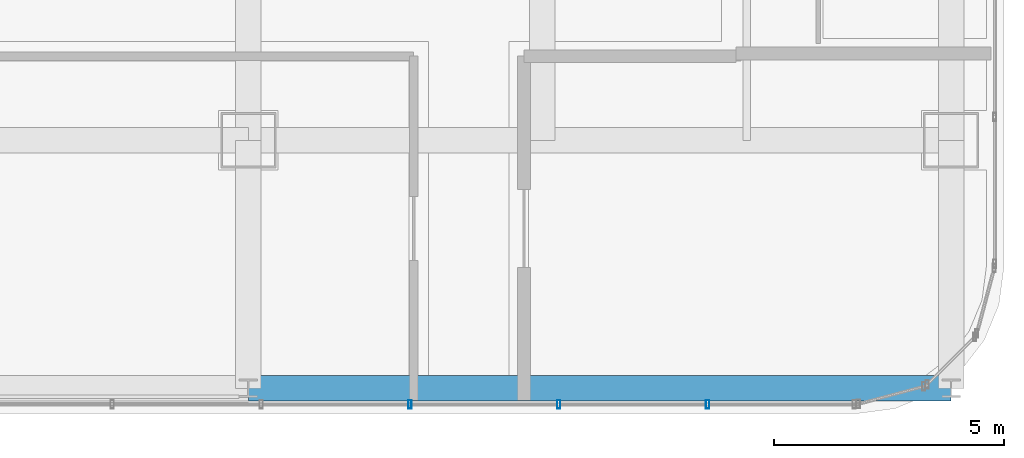
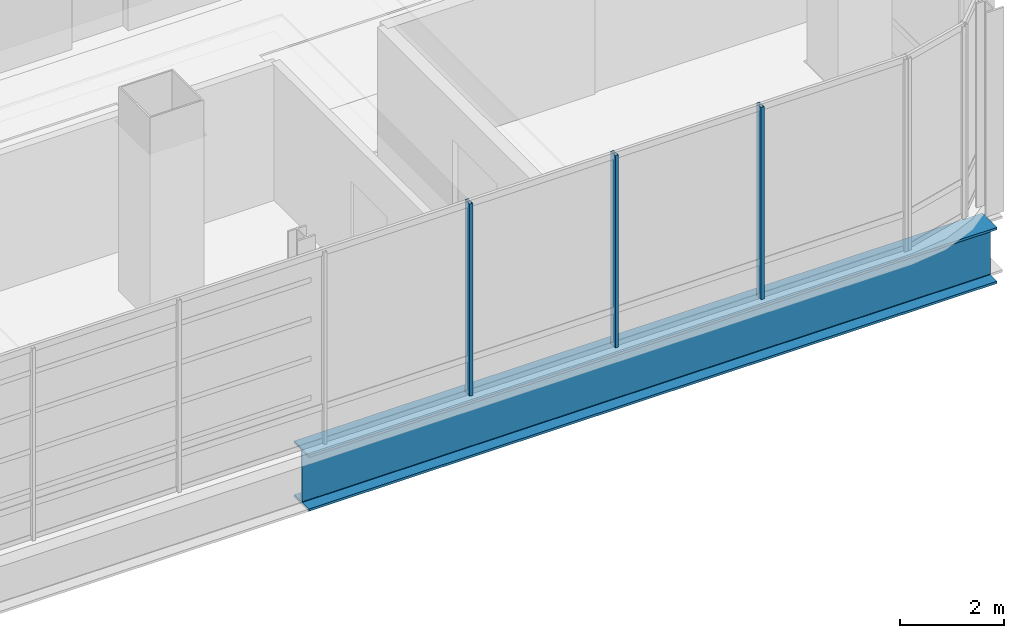
# One storey, part 16 of 45: 3 members, 1 beam, 1 element without a shape of its own.
"""IFC4 building model written with IfcOpenShell, lengths in metres."""

import ifcopenshell
import ifcopenshell.guid

model = None  # the IFC model being written
_history = None  # IfcOwnerHistory: only IFC2X3 demands one
_inside = {}  # id of a spatial element -> (the spatial element, [elements in it])
_under = {}  # id of a project, library or spatial element -> (it, [spatial elements below it])
_declared = {}  # id of a project -> (the project, [libraries it declares])
_typed = {}  # id of a type object -> (the type object, [elements of that type])
_made_of = {}  # id of a material, layer set ... -> (it, [elements and type objects made of it])


def new_model(schema):
    """Start an empty IFC model of exactly this schema.

    Asked for "IFC4X3", IfcOpenShell would pick the latest addendum, in which some entities
    have other attributes; the version numbers below select the first issue.
    IFC2X3 requires an IfcOwnerHistory on every rooted entity: one is made here for all.
    """
    global model, _history
    if schema == "IFC4X3":
        model = ifcopenshell.file(schema_version=(4, 3, 0, 0))
    else:
        model = ifcopenshell.file(schema=schema)
    _inside.clear()
    _under.clear()
    _declared.clear()
    _typed.clear()
    _made_of.clear()
    _history = None
    if model.schema == "IFC2X3":
        org = make("IfcOrganization", Name="unknown")
        user = make(
            "IfcPersonAndOrganization",
            ThePerson=make("IfcPerson", FamilyName="unknown"),
            TheOrganization=org,
        )
        app = make(
            "IfcApplication",
            ApplicationDeveloper=org,
            Version="unknown",
            ApplicationFullName="unknown",
            ApplicationIdentifier="unknown",
        )
        _history = make(
            "IfcOwnerHistory",
            OwningUser=user,
            OwningApplication=app,
            ChangeAction="ADDED",
            CreationDate=0,
        )
    return model


def make(cls, **values):
    """One entity of the class cls with the attributes given. An attribute that is None is left unset."""
    return model.create_entity(
        cls, **{name: value for name, value in values.items() if value is not None}
    )


def rooted(cls, **values):
    """An entity with a GlobalId (a new one), such as an element, a storey or a relation."""
    return make(cls, GlobalId=ifcopenshell.guid.new(), OwnerHistory=_history, **values)


def si_unit(unit_type, name, prefix=None):
    """IfcSIUnit, for example si_unit("LENGTHUNIT", "METRE", prefix="MILLI")."""
    return make("IfcSIUnit", UnitType=unit_type, Prefix=prefix, Name=name)


def assignment(units):
    """IfcUnitAssignment: the units of a project."""
    return None if units is None else make("IfcUnitAssignment", Units=units)


def point(xyz):
    """IfcCartesianPoint."""
    return None if xyz is None else make("IfcCartesianPoint", Coordinates=xyz)


def direction(xyz):
    """IfcDirection."""
    return None if xyz is None else make("IfcDirection", DirectionRatios=xyz)


def frame(location, z_axis=None, x_axis=None):
    """IfcAxis2Placement3D, a coordinate frame: its origin and axes. An axis left out is left unset."""
    return make(
        "IfcAxis2Placement3D",
        Location=point(location),
        Axis=direction(z_axis),
        RefDirection=direction(x_axis),
    )


def frame_2d(location, x_axis=None):
    """IfcAxis2Placement2D, a coordinate frame in the plane: its origin and x axis."""
    return make(
        "IfcAxis2Placement2D", Location=point(location), RefDirection=direction(x_axis)
    )


def origin():
    """The frame at (0, 0, 0) with its axes left unset."""
    return frame((0.0, 0.0, 0.0))


def origin_2d():
    """The frame at (0, 0) in the plane with its x axis left unset."""
    return frame_2d((0.0, 0.0))


def place(relative_to, where):
    """IfcLocalPlacement: puts the frame where relative to a parent placement (None: the world)."""
    return make(
        "IfcLocalPlacement", PlacementRelTo=relative_to, RelativePlacement=where
    )


def context(
    kind, dimensions, precision=None, world=None, true_north=None, identifier=None
):
    """IfcGeometricRepresentationContext, for example the 3D "Model" context."""
    return make(
        "IfcGeometricRepresentationContext",
        ContextIdentifier=identifier,
        ContextType=kind,
        CoordinateSpaceDimension=dimensions,
        Precision=precision,
        WorldCoordinateSystem=world,
        TrueNorth=true_north,
    )


def subcontext(parent, identifier, kind, view, scale=None):
    """IfcGeometricRepresentationSubContext, for example "Body" below "Model"."""
    return make(
        "IfcGeometricRepresentationSubContext",
        ContextIdentifier=identifier,
        ContextType=kind,
        ParentContext=parent,
        TargetScale=scale,
        TargetView=view,
    )


def project(units=None, contexts=None):
    """IfcProject with its units and contexts."""
    return rooted(
        "IfcProject",
        Name="project",
        RepresentationContexts=contexts,
        UnitsInContext=assignment(units),
    )


def spatial(cls, under=None, at=None, **own):
    """A site, building, storey or space (cls), placed at a placement, below another one or the project."""
    s = rooted(cls, ObjectPlacement=at, **own)
    if under is not None:
        _under.setdefault(under.id(), (under, []))[1].append(s)
    return s


def profile(cls, at=None, kind="AREA", **sizes):
    """A parametric profile (cls). Its sizes go by their IFC names, for example OverallWidth=200.0."""
    return make(cls, ProfileType=kind, Position=at, **sizes)


def hollow_rectangle(**sizes):
    """IfcRectangleHollowProfileDef."""
    return profile("IfcRectangleHollowProfileDef", **sizes)


def i_section(**sizes):
    """IfcIShapeProfileDef."""
    return profile("IfcIShapeProfileDef", **sizes)


def extrude(swept, where, along, depth):
    """IfcExtrudedAreaSolid: the profile swept, set in the frame where, extruded along a direction by depth."""
    return make(
        "IfcExtrudedAreaSolid",
        SweptArea=swept,
        Position=where,
        ExtrudedDirection=direction(along),
        Depth=depth,
    )


def shape(context_of_items, identifier, shape_type, items):
    """IfcShapeRepresentation: the items that make up one representation, for example the "Body"."""
    return make(
        "IfcShapeRepresentation",
        ContextOfItems=context_of_items,
        RepresentationIdentifier=identifier,
        RepresentationType=shape_type,
        Items=items,
    )


def material(Name=None, Category=None):
    """IfcMaterial."""
    return make("IfcMaterial", Name=Name, Category=Category)


def material_profile(
    of_material, cross_section, Name=None, Category=None, Priority=None
):
    """IfcMaterialProfile: a cross section and its material."""
    return make(
        "IfcMaterialProfile",
        Name=Name,
        Material=of_material,
        Profile=cross_section,
        Priority=Priority,
        Category=Category,
    )


def profile_set(profiles, Name=None, composite=None):
    """IfcMaterialProfileSet."""
    return make(
        "IfcMaterialProfileSet",
        Name=Name,
        MaterialProfiles=profiles,
        CompositeProfile=composite,
    )


def made_of(thing, what):
    """Note that an element or type object is made of a material, layer set ...; save() writes the relation."""
    if what is not None:
        _made_of.setdefault(what.id(), (what, []))[1].append(thing)
    return thing


def type_object(cls, material=None, **own):
    """A type object (cls), such as IfcWallType, which elements share."""
    return made_of(rooted(cls, **own), material)


def element(
    cls,
    number,
    at=None,
    inside=None,
    cuts=None,
    type_object=None,
    material=None,
    context=None,
    identifier="Body",
    shape_type=None,
    held_by="IfcProductDefinitionShape",
    body=None,
    shapes=None,
    **own,
):
    """One element of the class cls, such as IfcWall. Its Tag is "e" and its number.

    at: its placement. inside: the storey or other place that contains it. cuts: it is an
    opening in that element (IfcRelVoidsElement). A single representation is given by context,
    identifier, shape_type and body (its items); several are given by shapes. held_by: the class
    of the entity that holds the representations. save() writes the other relations.
    """
    e = rooted(cls, Tag="e%d" % number, ObjectPlacement=at, **own)
    if body is not None:
        shapes = [shape(context, identifier, shape_type, body)]
    if shapes is not None:
        e.Representation = make(held_by, Representations=shapes)
    if inside is not None:
        _inside.setdefault(inside.id(), (inside, []))[1].append(e)
    if cuts is not None:
        rooted(
            "IfcRelVoidsElement", RelatingBuildingElement=cuts, RelatedOpeningElement=e
        )
    if type_object is not None:
        _typed.setdefault(type_object.id(), (type_object, []))[1].append(e)
    return made_of(e, material)


def aggregate(whole, parts):
    """IfcRelAggregates: a whole, such as a stair, and the parts it consists of."""
    return rooted("IfcRelAggregates", RelatingObject=whole, RelatedObjects=parts)


def save(model, path):
    """Write the relations noted so far, then the file.

    IfcRelAggregates (storeys below a building ...), IfcRelContainedInSpatialStructure (elements
    in a storey), IfcRelDefinesByType, IfcRelAssociatesMaterial and IfcRelDeclares: one each for
    every whole, place, type object, material and project.
    """
    for whole, parts in _under.values():
        aggregate(whole, parts)
    for where, things in _inside.values():
        rooted(
            "IfcRelContainedInSpatialStructure",
            RelatedElements=things,
            RelatingStructure=where,
        )
    for kind, things in _typed.values():
        rooted("IfcRelDefinesByType", RelatedObjects=things, RelatingType=kind)
    for what, things in _made_of.values():
        rooted("IfcRelAssociatesMaterial", RelatedObjects=things, RelatingMaterial=what)
    for by, libraries in _declared.values():
        rooted("IfcRelDeclares", RelatingContext=by, RelatedDefinitions=libraries)
    model.write(path)


model = new_model("IFC4")

# Units and contexts
model_context = context("Model", 3, precision=1e-05, world=origin(), true_north=direction((0.0, 1.0)))
body_context = subcontext(model_context, "Body", "Model", "MODEL_VIEW")
ifc_project = project(units=[si_unit("LENGTHUNIT", "METRE"), si_unit("AREAUNIT", "SQUARE_METRE"), si_unit("VOLUMEUNIT", "CUBIC_METRE"), si_unit("PLANEANGLEUNIT", "RADIAN"), si_unit("MASSUNIT", "GRAM", prefix="KILO")], contexts=[model_context])

# Site, building, storey
site_placement = place(None, origin())
site = spatial("IfcSite", under=ifc_project, at=site_placement, CompositionType="ELEMENT")
building_placement = place(site_placement, origin())
building = spatial("IfcBuilding", under=site, at=building_placement, Name="Punatoya Terracotta Tower", CompositionType="ELEMENT")
storey_placement = place(building_placement, frame((0.0, 0.0, 339.0)))
storey = spatial("IfcBuildingStorey", under=building, at=storey_placement, Name="L80", CompositionType="ELEMENT", Elevation=339.0)

# Beam
ifc_material_1 = material(Name="Steel S460", Category="steel")
ifc_material_profile_1 = material_profile(ifc_material_1, i_section(OverallWidth=0.56005859375, OverallDepth=1.320068359375, WebThickness=0.035888671875, FlangeThickness=0.054931640625, FilletRadius=0.01806640625, at=origin_2d()))
ifc_profile_set_1 = profile_set([ifc_material_profile_1], Name="Steel S460")
beam_type = type_object("IfcBeamType", Name="BM-TG-BLK", PredefinedType="BEAM", material=ifc_profile_set_1)
beam_placement = place(storey_placement, frame((3.800048828125, -22.89990234375, -0.919921875), z_axis=(1.0, 0.0, 0.0), x_axis=(0.0, 1.0, 0.0)))
element("IfcBeam", 1, at=beam_placement, inside=storey, type_object=beam_type, Name="BM-L80-PER-S3", PredefinedType="BEAM", context=body_context, shape_type="SweptSolid", body=[
    extrude(i_section(OverallWidth=0.56005859375, OverallDepth=1.320068359375, WebThickness=0.035888671875, FlangeThickness=0.054931640625, FilletRadius=0.01806640625, at=origin_2d()), origin(), (0.0, 0.0, 1.0), 15.300048828125),
])

# Curtain wall, members
ifc_material_2 = material(Name="Aluminium 6063-T6 + Double Low-E Glass", Category="aluminium")
curtain_wall_type = type_object("IfcCurtainWallType", Name="CW-OBS", PredefinedType="NOTDEFINED", material=ifc_material_2)
curtain_wall_placement = place(storey_placement, origin())
curtain_wall = element("IfcCurtainWall", 2, at=curtain_wall_placement, inside=storey, type_object=curtain_wall_type, Name="L80 Curtain Wall CW-L80-S01-1", PredefinedType="NOTDEFINED")
ifc_material_3 = material(Name="Aluminium 6063-T6", Category="aluminium")
ifc_material_profile_2 = material_profile(ifc_material_3, hollow_rectangle(XDim=0.070068359375, YDim=0.179931640625, WallThickness=0.00390625, at=origin_2d()))
ifc_profile_set_2 = profile_set([ifc_material_profile_2], Name="Aluminium 6063-T6")
member_type = type_object("IfcMemberType", Name="CW-MUL-M3", PredefinedType="MULLION", material=ifc_profile_set_2)
member_1_placement = place(storey_placement, frame((7.318359375, -23.25, 0.0), z_axis=(0.0, 0.0, 1.0), x_axis=(1.0, 0.0, 0.0)))
member_1 = element("IfcMember", 3, at=member_1_placement, type_object=member_type, Name="CW-L80-S01-1 Mullion 09", PredefinedType="MULLION", context=body_context, shape_type="SweptSolid", body=[
    extrude(hollow_rectangle(XDim=0.070068359375, YDim=0.179931640625, WallThickness=0.00390625, at=origin_2d()), origin(), (0.0, 0.0, 1.0), 4.52001953125),
])
member_2_placement = place(storey_placement, frame((10.557861328125, -23.25, 0.0), z_axis=(0.0, 0.0, 1.0), x_axis=(1.0, 0.0, 0.0)))
member_2 = element("IfcMember", 4, at=member_2_placement, type_object=member_type, Name="CW-L80-S01-1 Mullion 10", PredefinedType="MULLION", context=body_context, shape_type="SweptSolid", body=[
    extrude(hollow_rectangle(XDim=0.070068359375, YDim=0.179931640625, WallThickness=0.00390625, at=origin_2d()), origin(), (0.0, 0.0, 1.0), 4.52001953125),
])
member_3_placement = place(storey_placement, frame((13.79736328125, -23.25, 0.0), z_axis=(0.0, 0.0, 1.0), x_axis=(1.0, 0.0, 0.0)))
member_3 = element("IfcMember", 5, at=member_3_placement, type_object=member_type, Name="CW-L80-S01-1 Mullion 11", PredefinedType="MULLION", context=body_context, shape_type="SweptSolid", body=[
    extrude(hollow_rectangle(XDim=0.070068359375, YDim=0.179931640625, WallThickness=0.00390625, at=origin_2d()), origin(), (0.0, 0.0, 1.0), 4.52001953125),
])
aggregate(curtain_wall, [member_1, member_2, member_3])

save(model, "model.ifc")
